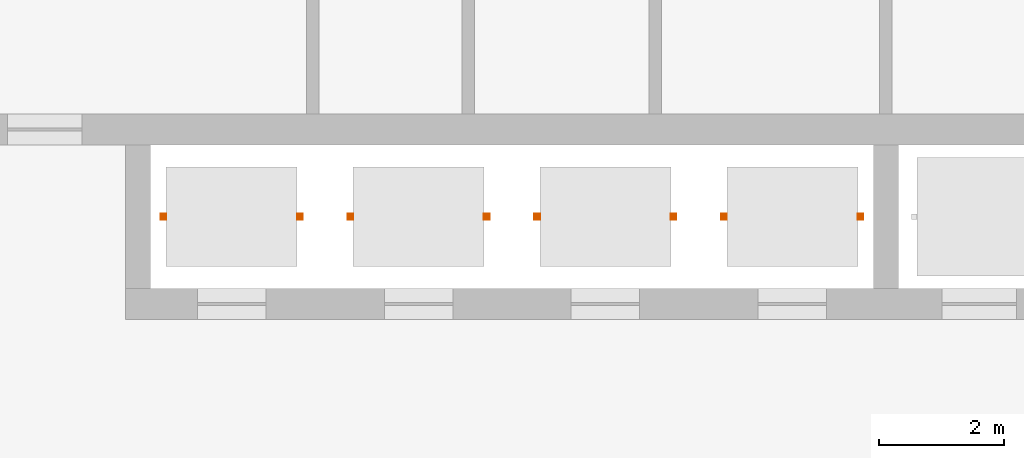
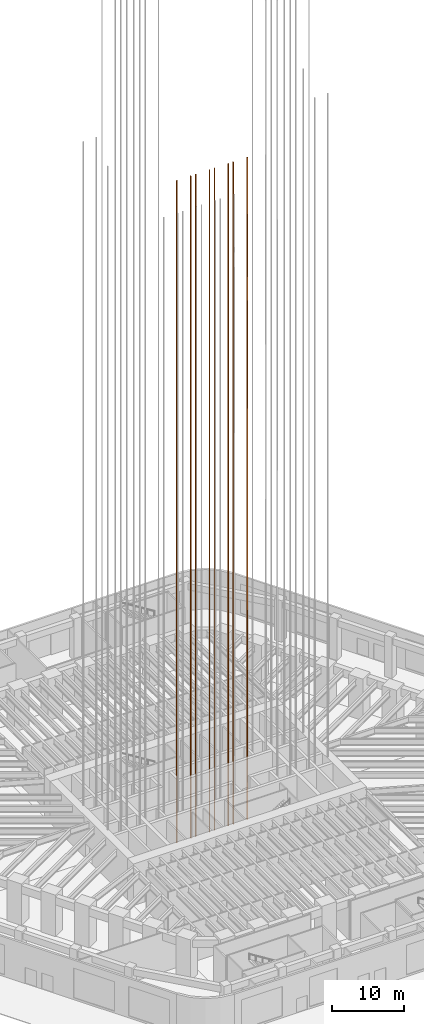
# One storey, part 21 of 23: 4 proxies.
"""IFC4 building model written with IfcOpenShell, lengths in metres."""

from ifc_helpers import new_model, si_unit, direction, frame, frame_2d, origin, origin_2d, place, context, subcontext, project, spatial, rectangle, extrude, material, element, save


model = new_model("IFC4")

# Units and contexts
model_context = context("Model", 3, precision=1e-05, world=origin(), true_north=direction((0.0, 1.0)))
body_context = subcontext(model_context, "Body", "Model", "MODEL_VIEW")
ifc_project = project(units=[si_unit("LENGTHUNIT", "METRE"), si_unit("AREAUNIT", "SQUARE_METRE"), si_unit("VOLUMEUNIT", "CUBIC_METRE"), si_unit("PLANEANGLEUNIT", "RADIAN"), si_unit("MASSUNIT", "GRAM", prefix="KILO")], contexts=[model_context])

# Site, building, storey
site_placement = place(None, origin())
site = spatial("IfcSite", under=ifc_project, at=site_placement, CompositionType="ELEMENT")
building_placement = place(site_placement, origin())
building = spatial("IfcBuilding", under=site, at=building_placement, Name="Tarfa Lantern Tower", CompositionType="ELEMENT")
storey_placement = place(building_placement, origin())
storey = spatial("IfcBuildingStorey", under=building, at=storey_placement, Name="L00", CompositionType="ELEMENT", Elevation=0.0)

# Proxies
ifc_material = material(Name="Steel S355", Category="steel")
for number, where, z_axis, x_axis, name in (
    (1, (-2.594970703125, 3.39990234375, -4.5), (0.0, 0.0, 1.0), (1.0, 0.0, 0.0), "Guide rails PA1"),
    (2, (0.405029296875, 3.39990234375, -4.5), (0.0, 0.0, 1.0), (1.0, 0.0, 0.0), "Guide rails PA2"),
    (3, (3.405029296875, 3.39990234375, -4.5), (0.0, 0.0, 1.0), (1.0, 0.0, 0.0), "Guide rails PA3"),
    (4, (6.405029296875, 3.39990234375, -4.5), (0.0, 0.0, 1.0), (1.0, 0.0, 0.0), "Guide rails PA4"),
):
    element("IfcBuildingElementProxy", number, at=place(storey_placement, frame(where, z_axis=z_axis, x_axis=x_axis)), inside=storey, material=ifc_material, Name=name, PredefinedType="NOTDEFINED", context=body_context, shape_type="SweptSolid", body=[
        extrude(rectangle(XDim=0.090087890625, YDim=0.090087890625, at=origin_2d()), origin(), (0.0, 0.0, 1.0), 111.64990234375),
        extrude(rectangle(XDim=0.090087890625, YDim=0.090087890625, at=frame_2d((2.18994140625, 0.0))), origin(), (0.0, 0.0, 1.0), 111.64990234375),
    ])

save(model, "model.ifc")
